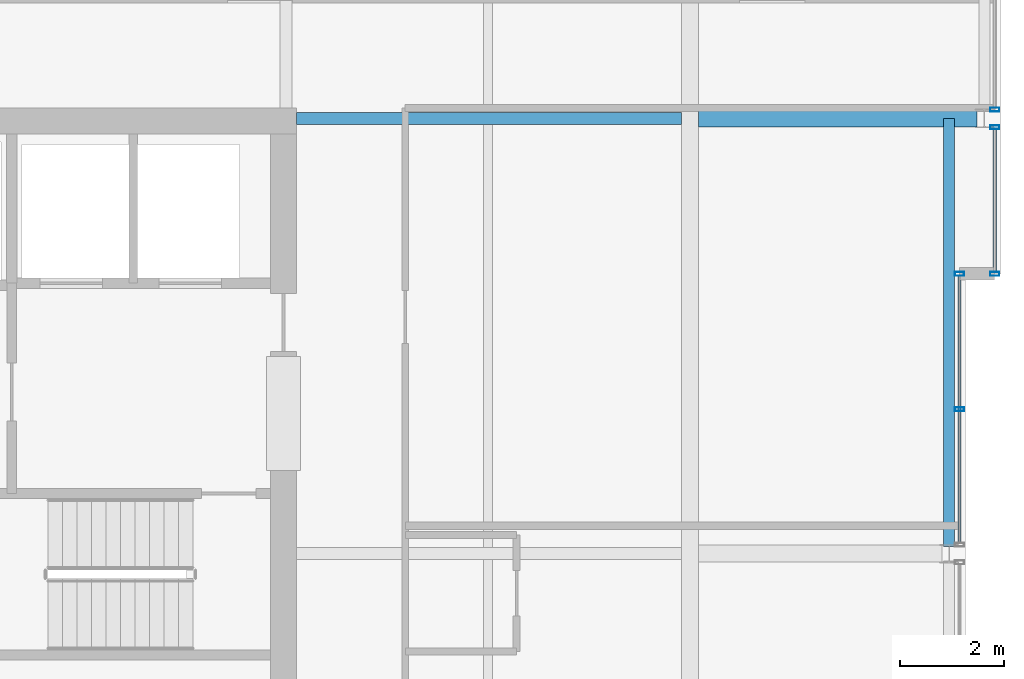
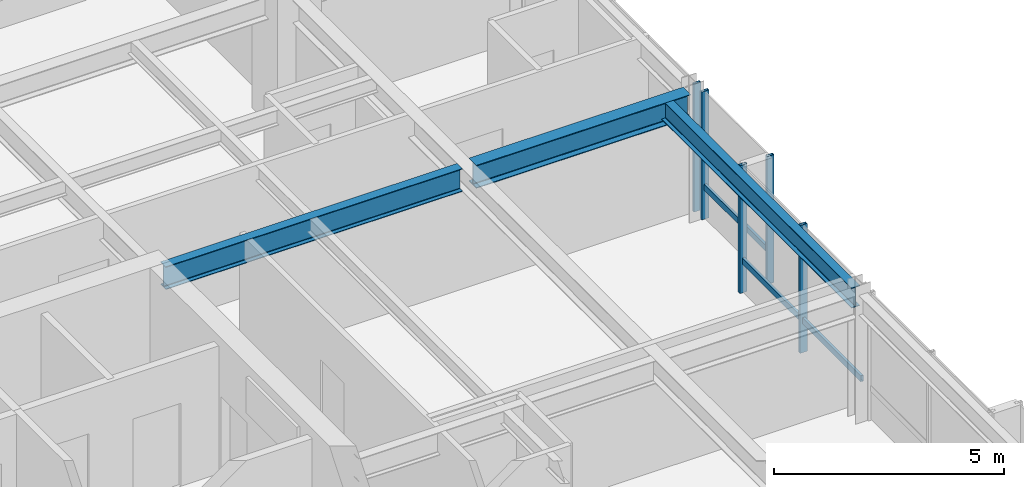
# One storey, part 19 of 33: 7 members, 3 beams, 3 elements without a shape of their own.
"""IFC4 building model written with IfcOpenShell, lengths in metres."""

from ifc_helpers import new_model, si_unit, direction, frame, origin, origin_2d, place, context, subcontext, project, spatial, hollow_rectangle, i_section, extrude, material, layer, layer_set, material_profile, profile_set, type_object, element, aggregate, save


model = new_model("IFC4")

# Units and contexts
model_context = context("Model", 3, precision=1e-05, world=origin(), true_north=direction((0.0, 1.0)))
body_context = subcontext(model_context, "Body", "Model", "MODEL_VIEW")
ifc_project = project(units=[si_unit("LENGTHUNIT", "METRE"), si_unit("AREAUNIT", "SQUARE_METRE"), si_unit("VOLUMEUNIT", "CUBIC_METRE"), si_unit("PLANEANGLEUNIT", "RADIAN"), si_unit("MASSUNIT", "GRAM", prefix="KILO")], contexts=[model_context])

# Site, building, storey
site_placement = place(None, origin())
site = spatial("IfcSite", under=ifc_project, at=site_placement, CompositionType="ELEMENT")
building_placement = place(site_placement, origin())
building = spatial("IfcBuilding", under=site, at=building_placement, Name="Drelvath Grand Hotel", CompositionType="ELEMENT")
storey_placement = place(building_placement, frame((0.0, 0.0, 283.25)))
storey = spatial("IfcBuildingStorey", under=building, at=storey_placement, Name="L74", CompositionType="ELEMENT", Elevation=283.25)

# Curtain wall, member
ifc_material_1 = material(Name="Platinum-Mist Anodised Aluminium Frame", Category="aluminium")
ifc_layer = layer(ifc_material_1, 0.199951171875)
ifc_layer_set = layer_set([ifc_layer], Name="Platinum-Mist Anodised Aluminium Frame")
curtain_wall_type = type_object("IfcCurtainWallType", Name="Stick Curtain Wall CW-05 Platinum Mist High-Rise", PredefinedType="NOTDEFINED", material=ifc_layer_set)
curtain_wall_1_placement = place(storey_placement, origin())
curtain_wall_1 = element("IfcCurtainWall", 1, at=curtain_wall_1_placement, inside=storey, type_object=curtain_wall_type, Name="L74 CW-05 Curtain Wall CW05-L74-EN1", PredefinedType="NOTDEFINED")
ifc_material_profile_1 = material_profile(ifc_material_1, hollow_rectangle(XDim=0.06494140625, YDim=0.159912109375, WallThickness=0.00390625, at=origin_2d()), Name="HSS160X65X4")
ifc_profile_set_1 = profile_set([ifc_material_profile_1], Name="Platinum-Mist Anodised Aluminium Frame")
member_type_1 = type_object("IfcMemberType", Name="Curtain Wall Horizontal Transom CW-05 HSS160X65X4", PredefinedType="USERDEFINED", material=ifc_profile_set_1)
member_1_placement = place(storey_placement, frame((22.080078125, 35.18994140625, 0.847412109375), z_axis=(0.0, -1.0, 0.0), x_axis=(1.0, 0.0, 0.0)))
member_1 = element("IfcMember", 2, at=member_1_placement, type_object=member_type_1, Name="CW05-L74-EN1 Sill Transom", ObjectType="TRANSOM", PredefinedType="USERDEFINED", context=body_context, shape_type="SweptSolid", body=[
    extrude(hollow_rectangle(XDim=0.06494140625, YDim=0.159912109375, WallThickness=0.00390625, at=origin_2d()), origin(), (0.0, 0.0, 1.0), 2.75),
])

curtain_wall_2_placement = place(storey_placement, origin())
curtain_wall_2 = element("IfcCurtainWall", 3, at=curtain_wall_2_placement, inside=storey, type_object=curtain_wall_type, Name="L74 CW-05 Curtain Wall CW05-L74-EM2", PredefinedType="NOTDEFINED")
member_2_placement = place(storey_placement, frame((21.39990234375, 32.360107421875, 0.847412109375), z_axis=(0.0, -1.0, 0.0), x_axis=(1.0, 0.0, 0.0)))
member_2 = element("IfcMember", 4, at=member_2_placement, type_object=member_type_1, Name="CW05-L74-EM2 Sill Transom", ObjectType="TRANSOM", PredefinedType="USERDEFINED", context=body_context, shape_type="SweptSolid", body=[
    extrude(hollow_rectangle(XDim=0.06494140625, YDim=0.159912109375, WallThickness=0.00390625, at=origin_2d()), origin(), (0.0, 0.0, 1.0), 5.150146484375),
])

# Member
ifc_material_profile_2 = material_profile(ifc_material_1, hollow_rectangle(XDim=0.074951171875, YDim=0.179931640625, WallThickness=0.0048828125, at=origin_2d()), Name="HSS180X75X5")
ifc_profile_set_2 = profile_set([ifc_material_profile_2], Name="Platinum-Mist Anodised Aluminium Frame")
member_type_2 = type_object("IfcMemberType", Name="Curtain Wall Vertical Mullion CW-05 HSS180X75X5", PredefinedType="MULLION", material=ifc_profile_set_2)
member_3_placement = place(storey_placement, frame((22.080078125, 35.22998046875, 0.0), z_axis=(0.0, 0.0, 1.0), x_axis=(0.0, 1.0, 0.0)))
member_3 = element("IfcMember", 5, at=member_3_placement, type_object=member_type_2, Name="CW05-L74-EN1 Mullion 1", PredefinedType="MULLION", context=body_context, shape_type="SweptSolid", body=[
    extrude(hollow_rectangle(XDim=0.074951171875, YDim=0.179931640625, WallThickness=0.0048828125, at=origin_2d()), origin(), (0.0, 0.0, 1.0), 3.389892578125),
])

member_4_placement = place(storey_placement, frame((22.080078125, 32.39990234375, 0.0), z_axis=(0.0, 0.0, 1.0), x_axis=(0.0, 1.0, 0.0)))
member_4 = element("IfcMember", 6, at=member_4_placement, type_object=member_type_2, Name="CW05-L74-EN1 Mullion 2", PredefinedType="MULLION", context=body_context, shape_type="SweptSolid", body=[
    extrude(hollow_rectangle(XDim=0.074951171875, YDim=0.179931640625, WallThickness=0.0048828125, at=origin_2d()), origin(), (0.0, 0.0, 1.0), 3.389892578125),
])

aggregate(curtain_wall_1, [member_3, member_4, member_1])

# Curtain wall, member
curtain_wall_3_placement = place(storey_placement, origin())
curtain_wall_3 = element("IfcCurtainWall", 7, at=curtain_wall_3_placement, inside=storey, type_object=curtain_wall_type, Name="L74 CW-05 Curtain Wall CW05-L74-EN2", PredefinedType="NOTDEFINED")
member_5_placement = place(storey_placement, frame((22.080078125, 35.570068359375, 0.0), z_axis=(0.0, 0.0, 1.0), x_axis=(0.0, 1.0, 0.0)))
member_5 = element("IfcMember", 8, at=member_5_placement, type_object=member_type_2, Name="CW05-L74-EN2 Mullion 3", PredefinedType="MULLION", context=body_context, shape_type="SweptSolid", body=[
    extrude(hollow_rectangle(XDim=0.074951171875, YDim=0.179931640625, WallThickness=0.0048828125, at=origin_2d()), origin(), (0.0, 0.0, 1.0), 3.389892578125),
])
aggregate(curtain_wall_3, [member_5])

# Member
member_6_placement = place(storey_placement, frame((21.39990234375, 32.39990234375, 0.0), z_axis=(0.0, 0.0, 1.0), x_axis=(0.0, 1.0, 0.0)))
member_6 = element("IfcMember", 9, at=member_6_placement, type_object=member_type_2, Name="CW05-L74-EM2 Mullion 1", PredefinedType="MULLION", context=body_context, shape_type="SweptSolid", body=[
    extrude(hollow_rectangle(XDim=0.074951171875, YDim=0.179931640625, WallThickness=0.0048828125, at=origin_2d()), origin(), (0.0, 0.0, 1.0), 3.389892578125),
])

member_7_placement = place(storey_placement, frame((21.39990234375, 29.784912109375, 0.0), z_axis=(0.0, 0.0, 1.0), x_axis=(0.0, 1.0, 0.0)))
member_7 = element("IfcMember", 10, at=member_7_placement, type_object=member_type_2, Name="CW05-L74-EM2 Mullion 2", PredefinedType="MULLION", context=body_context, shape_type="SweptSolid", body=[
    extrude(hollow_rectangle(XDim=0.074951171875, YDim=0.179931640625, WallThickness=0.0048828125, at=origin_2d()), origin(), (0.0, 0.0, 1.0), 3.389892578125),
])

aggregate(curtain_wall_2, [member_6, member_7, member_2])

# Beams
ifc_material_2 = material(Name="Steel ASTM A992 Gr 50", Category="steel")
ifc_material_profile_3 = material_profile(ifc_material_2, i_section(OverallWidth=0.210205078125, OverallDepth=0.53662109375, WebThickness=0.010986328125, FlangeThickness=0.017333984375, FilletRadius=0.01806640625, at=origin_2d()), Name="W21X68")
ifc_profile_set_3 = profile_set([ifc_material_profile_3], Name="Steel ASTM A992 Gr 50")
beam_type_1 = type_object("IfcBeamType", Name="Perimeter Spandrel Beam W21X68", PredefinedType="SPANDREL", material=ifc_profile_set_3)
beam_1_placement = place(storey_placement, frame((21.199951171875, 27.139892578125, 3.12158203125), z_axis=(0.0, 1.0, 0.0), x_axis=(-1.0, 0.0, 0.0)))
element("IfcBeam", 11, at=beam_1_placement, inside=storey, type_object=beam_type_1, Name="L74 Spandrel East Mid N", PredefinedType="SPANDREL", context=body_context, shape_type="SweptSolid", body=[
    extrude(i_section(OverallWidth=0.210205078125, OverallDepth=0.53662109375, WebThickness=0.010986328125, FlangeThickness=0.017333984375, FilletRadius=0.01806640625, at=origin_2d()), origin(), (0.0, 0.0, 1.0), 8.260009765625),
])
ifc_material_profile_4 = material_profile(ifc_material_2, i_section(OverallWidth=0.323974609375, OverallDepth=0.611083984375, WebThickness=0.0126953125, FlangeThickness=0.01904296875, FilletRadius=0.02197265625, at=origin_2d()), Name="W24X104")
ifc_profile_set_4 = profile_set([ifc_material_profile_4], Name="Steel ASTM A992 Gr 50")
beam_type_2 = type_object("IfcBeamType", Name="Primary Floor Girder W24X104", PredefinedType="BEAM", material=ifc_profile_set_4)
beam_2_placement = place(storey_placement, frame((16.362060546875, 35.39990234375, 3.08447265625), z_axis=(1.0, 0.0, 0.0), x_axis=(0.0, 1.0, 0.0)))
element("IfcBeam", 12, at=beam_2_placement, inside=storey, type_object=beam_type_2, Name="L74 East Wing Girder F", PredefinedType="BEAM", context=body_context, shape_type="SweptSolid", body=[
    extrude(i_section(OverallWidth=0.323974609375, OverallDepth=0.611083984375, WebThickness=0.0126953125, FlangeThickness=0.01904296875, FilletRadius=0.02197265625, at=origin_2d()), origin(), (0.0, 0.0, 1.0), 5.3779296875),
])
ifc_material_profile_5 = material_profile(ifc_material_2, i_section(OverallWidth=0.228271484375, OverallDepth=0.607666015625, WebThickness=0.01123046875, FlangeThickness=0.017333984375, FilletRadius=0.02001953125, at=origin_2d()), Name="W24X76")
ifc_profile_set_5 = profile_set([ifc_material_profile_5], Name="Steel ASTM A992 Gr 50")
beam_type_3 = type_object("IfcBeamType", Name="Primary Floor Girder W24X76", PredefinedType="BEAM", material=ifc_profile_set_5)
beam_3_placement = place(storey_placement, frame((8.60009765625, 35.39990234375, 3.086181640625), z_axis=(1.0, 0.0, 0.0), x_axis=(0.0, 1.0, 0.0)))
element("IfcBeam", 13, at=beam_3_placement, inside=storey, type_object=beam_type_3, Name="L74 East Core Tie F", PredefinedType="BEAM", context=body_context, shape_type="SweptSolid", body=[
    extrude(i_section(OverallWidth=0.228271484375, OverallDepth=0.607666015625, WebThickness=0.01123046875, FlangeThickness=0.017333984375, FilletRadius=0.02001953125, at=origin_2d()), origin(), (0.0, 0.0, 1.0), 7.43798828125),
])

save(model, "model.ifc")
